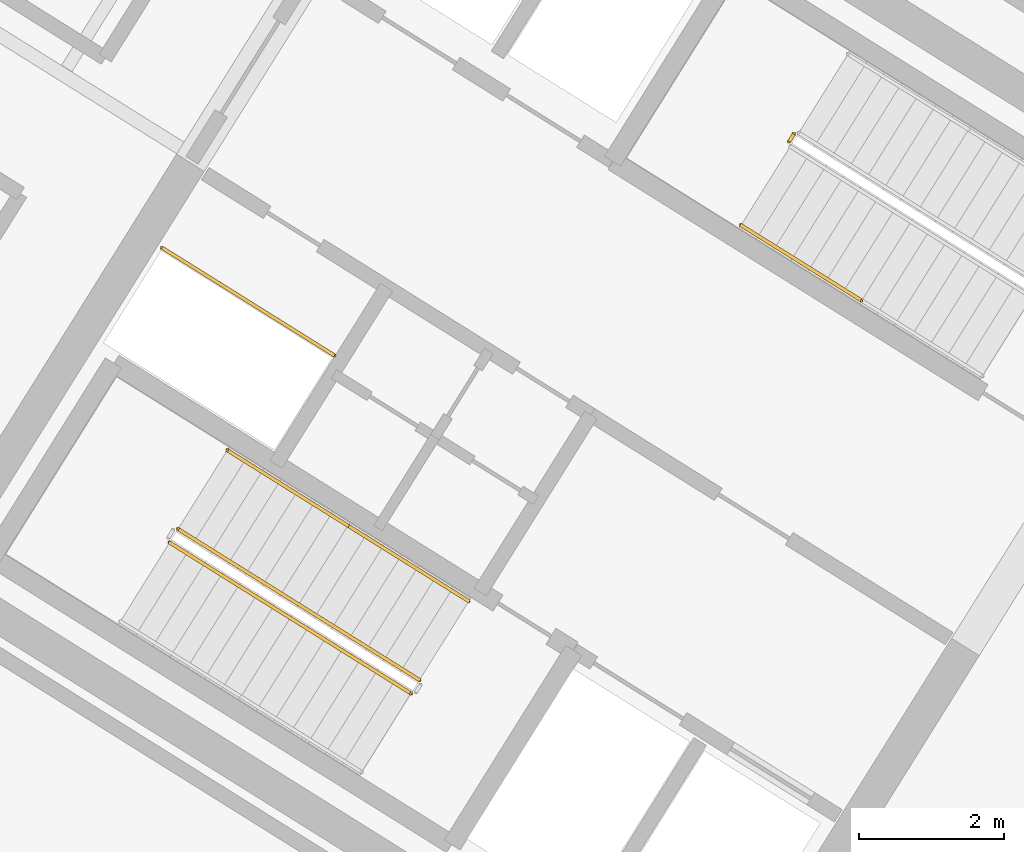
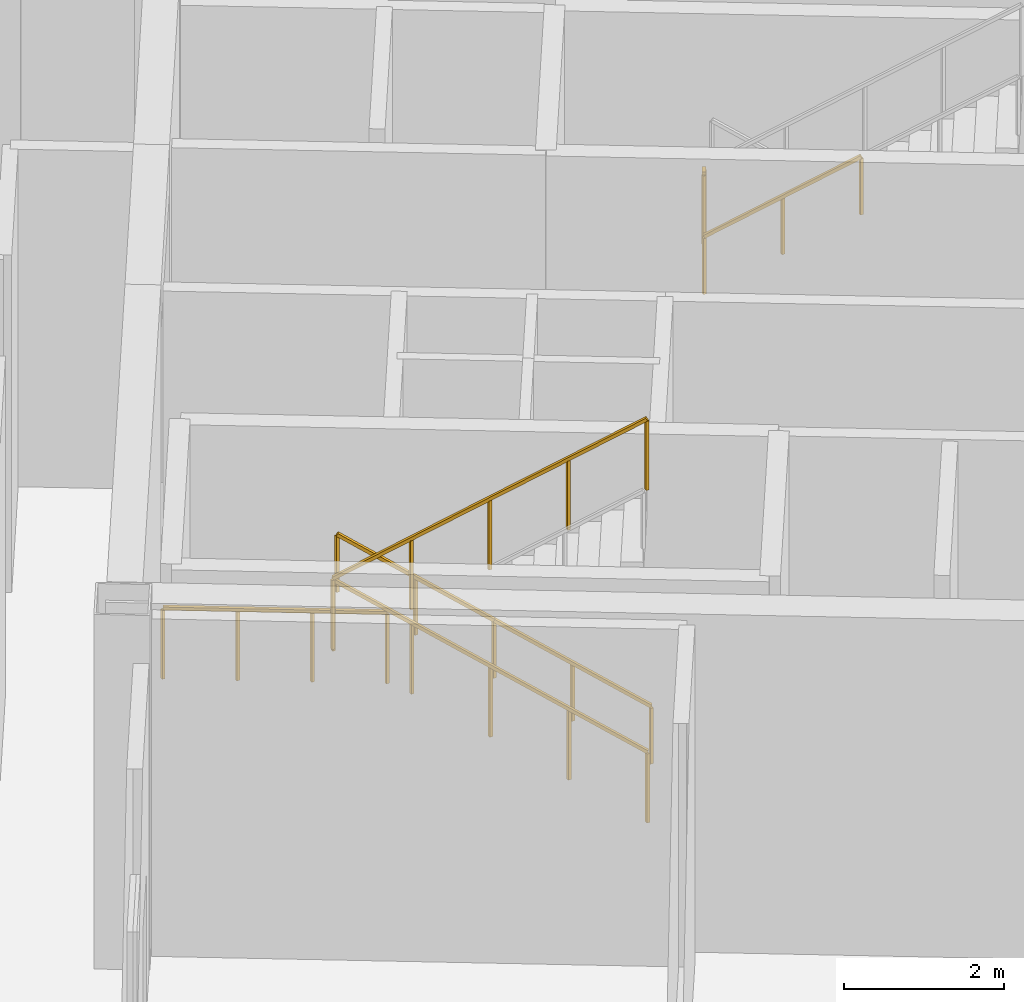
# One storey, part 28 of 32: 7 railings.
"""IFC4 building model written with IfcOpenShell, lengths in metres."""

from ifc_helpers import new_model, si_unit, direction, frame, origin, origin_2d, place, context, subcontext, project, spatial, rectangle, extrude, source, transform, mapped, material, type_object, element, save


model = new_model("IFC4")

# Units and contexts
model_context = context("Model", 3, precision=1e-05, world=origin(), true_north=direction((0.0, 1.0)))
body_context = subcontext(model_context, "Body", "Model", "MODEL_VIEW")
ifc_project = project(units=[si_unit("LENGTHUNIT", "METRE"), si_unit("AREAUNIT", "SQUARE_METRE"), si_unit("VOLUMEUNIT", "CUBIC_METRE"), si_unit("PLANEANGLEUNIT", "RADIAN"), si_unit("MASSUNIT", "GRAM", prefix="KILO")], contexts=[model_context])

# Site, building, storey
site_placement = place(None, origin())
site = spatial("IfcSite", under=ifc_project, at=site_placement, CompositionType="ELEMENT")
building_placement = place(site_placement, origin())
building = spatial("IfcBuilding", under=site, at=building_placement, Name="Tlacorven Tower", CompositionType="ELEMENT")
storey_placement = place(building_placement, frame((0.0, 0.0, 245.699951171875)))
storey = spatial("IfcBuildingStorey", under=building, at=storey_placement, Name="L62", CompositionType="ELEMENT", Elevation=245.699951171875)

# Railings
ifc_material = material(Name="Aluminium and painted steel balustrade", Category="steel")
railing_type_1 = type_object("IfcRailingType", Name="RL-GRD-1100", PredefinedType="GUARDRAIL", material=ifc_material)
shared_shape_1 = source(origin(), body_context, "Body", "SweptSolid", [
    extrude(rectangle(XDim=0.048095703125, YDim=0.048095703125, at=origin_2d()), frame((0.0, 0.0, 1.076171875), z_axis=(-0.848091358275, 0.529850024081, 0.0), x_axis=(-0.529850024081, -0.848091358275, 0.0)), (0.0, 0.0, 1.0), 2.800048828125),
    extrude(rectangle(XDim=0.0419921875, YDim=0.0419921875, at=origin_2d()), origin(), (0.0, 0.0, 1.0), 1.052001953125),
    extrude(rectangle(XDim=0.0419921875, YDim=0.0419921875, at=origin_2d()), frame((-0.79150390625, 0.49462890625, 0.0)), (0.0, 0.0, 1.0), 1.052001953125),
    extrude(rectangle(XDim=0.0419921875, YDim=0.0419921875, at=origin_2d()), frame((-1.583251953125, 0.989013671875, 0.0)), (0.0, 0.0, 1.0), 1.052001953125),
    extrude(rectangle(XDim=0.0419921875, YDim=0.0419921875, at=origin_2d()), frame((-2.374755859375, 1.483642578125, 0.0)), (0.0, 0.0, 1.0), 1.052001953125),
])
railing_1_placement = place(storey_placement, frame((27.9912109375, 22.32080078125, 0.0)))
element("IfcRailing", 1, at=railing_1_placement, inside=storey, type_object=railing_type_1, Name="L62 Electrical Riser W Shaft Guard 1", PredefinedType="GUARDRAIL", context=body_context, shape_type="MappedRepresentation", body=[
    mapped(shared_shape_1, transform((0.0, 0.0, 0.0), scale=1.0)),
])
shared_shape_2 = source(origin(), body_context, "Body", "SweptSolid", [
    extrude(rectangle(XDim=0.048095703125, YDim=0.048095703125, at=origin_2d()), frame((0.0, 0.0, 1.076171875), z_axis=(-0.713337067426, 0.445783277521, 0.540765658782), x_axis=(-0.529954152494, -0.848026294554, 0.0)), (0.0, 0.0, 1.0), 4.66015625),
    extrude(rectangle(XDim=0.0419921875, YDim=0.0419921875, at=origin_2d()), origin(), (0.0, 0.0, 1.0), 1.052001953125),
    extrude(rectangle(XDim=0.0419921875, YDim=0.0419921875, at=origin_2d()), frame((-0.8310546875, 0.519287109375, 0.6298828125)), (0.0, 0.0, 1.0), 1.052001953125),
    extrude(rectangle(XDim=0.0419921875, YDim=0.0419921875, at=origin_2d()), frame((-1.662109375, 1.03857421875, 1.260009765625)), (0.0, 0.0, 1.0), 1.052001953125),
    extrude(rectangle(XDim=0.0419921875, YDim=0.0419921875, at=origin_2d()), frame((-2.4931640625, 1.55810546875, 1.89013671875)), (0.0, 0.0, 1.0), 1.052001953125),
    extrude(rectangle(XDim=0.0419921875, YDim=0.0419921875, at=origin_2d()), frame((-3.32421875, 2.077392578125, 2.52001953125)), (0.0, 0.0, 1.0), 1.052001953125),
])
railing_2_placement = place(storey_placement, frame((29.16064453125, 17.851806640625, 0.179931640625)))
element("IfcRailing", 2, at=railing_2_placement, inside=storey, type_object=railing_type_1, Name="L62 ST-W1 stair guard 1", PredefinedType="GUARDRAIL", context=body_context, shape_type="MappedRepresentation", body=[
    mapped(shared_shape_2, transform((0.0, 0.0, 0.0), scale=1.0)),
])
shared_shape_3 = source(origin(), body_context, "Body", "SweptSolid", [
    extrude(rectangle(XDim=0.048095703125, YDim=0.048095703125, at=origin_2d()), frame((0.0, 0.0, 1.076171875), z_axis=(0.713362797158, -0.445766618272, 0.540745449972), x_axis=(0.529926163394, 0.848043785043, 0.0)), (0.0, 0.0, 1.0), 4.66015625),
    extrude(rectangle(XDim=0.0419921875, YDim=0.0419921875, at=origin_2d()), origin(), (0.0, 0.0, 1.0), 1.052001953125),
    extrude(rectangle(XDim=0.0419921875, YDim=0.0419921875, at=origin_2d()), frame((0.8310546875, -0.519287109375, 0.6298828125)), (0.0, 0.0, 1.0), 1.052001953125),
    extrude(rectangle(XDim=0.0419921875, YDim=0.0419921875, at=origin_2d()), frame((1.662109375, -1.03857421875, 1.260009765625)), (0.0, 0.0, 1.0), 1.052001953125),
    extrude(rectangle(XDim=0.0419921875, YDim=0.0419921875, at=origin_2d()), frame((2.493408203125, -1.55810546875, 1.89013671875)), (0.0, 0.0, 1.0), 1.052001953125),
    extrude(rectangle(XDim=0.0419921875, YDim=0.0419921875, at=origin_2d()), frame((3.324462890625, -2.077392578125, 2.52001953125)), (0.0, 0.0, 1.0), 1.052001953125),
])
railing_3_placement = place(storey_placement, frame((25.7197265625, 19.74267578125, 2.880126953125)))
element("IfcRailing", 3, at=railing_3_placement, inside=storey, type_object=railing_type_1, Name="L62 ST-W1 stair guard 3", PredefinedType="GUARDRAIL", context=body_context, shape_type="MappedRepresentation", body=[
    mapped(shared_shape_3, transform((0.0, 0.0, 0.0), scale=1.0)),
])
railing_type_2 = type_object("IfcRailingType", Name="RL-HND-0900", PredefinedType="HANDRAIL", material=ifc_material)
shared_shape_4 = source(origin(), body_context, "Body", "SweptSolid", [
    extrude(rectangle(XDim=0.048095703125, YDim=0.048095703125, at=origin_2d()), frame((0.0, 0.0, 0.8759765625), z_axis=(-0.713371865327, 0.445791935228, 0.540712615208), x_axis=(-0.529942963146, -0.848033286971, 0.0)), (0.0, 0.0, 1.0), 2.330322265625),
    extrude(rectangle(XDim=0.0419921875, YDim=0.0419921875, at=origin_2d()), origin(), (0.0, 0.0, 1.0), 0.851806640625),
    extrude(rectangle(XDim=0.0419921875, YDim=0.0419921875, at=origin_2d()), frame((-0.8310546875, 0.51953125, 0.6298828125)), (0.0, 0.0, 1.0), 0.851806640625),
    extrude(rectangle(XDim=0.0419921875, YDim=0.0419921875, at=origin_2d()), frame((-1.662353515625, 1.038818359375, 1.260009765625)), (0.0, 0.0, 1.0), 0.851806640625),
])
railing_4_placement = place(storey_placement, frame((29.839111328125, 18.937255859375, 0.179931640625)))
element("IfcRailing", 4, at=railing_4_placement, inside=storey, type_object=railing_type_2, Name="L62 ST-W1 stair handrail 1", PredefinedType="HANDRAIL", context=body_context, shape_type="MappedRepresentation", body=[
    mapped(shared_shape_4, transform((0.0, 0.0, 0.0), scale=1.0)),
])
shared_shape_5 = source(origin(), body_context, "Body", "SweptSolid", [
    extrude(rectangle(XDim=0.048095703125, YDim=0.048095703125, at=origin_2d()), frame((0.0, 0.0, 0.8759765625), z_axis=(-0.713353726602, 0.445741297439, 0.540778287749), x_axis=(-0.52990936055, -0.848054284584, 0.0)), (0.0, 0.0, 1.0), 2.330078125),
    extrude(rectangle(XDim=0.0419921875, YDim=0.0419921875, at=origin_2d()), origin(), (0.0, 0.0, 1.0), 0.851806640625),
    extrude(rectangle(XDim=0.0419921875, YDim=0.0419921875, at=origin_2d()), frame((-0.8310546875, 0.519287109375, 0.6298828125)), (0.0, 0.0, 1.0), 0.851806640625),
    extrude(rectangle(XDim=0.0419921875, YDim=0.0419921875, at=origin_2d()), frame((-1.662109375, 1.03857421875, 1.260009765625)), (0.0, 0.0, 1.0), 0.851806640625),
])
railing_5_placement = place(storey_placement, frame((28.1767578125, 19.97607421875, 1.43994140625)))
element("IfcRailing", 5, at=railing_5_placement, inside=storey, type_object=railing_type_2, Name="L62 ST-W1 stair handrail 2", PredefinedType="HANDRAIL", context=body_context, shape_type="MappedRepresentation", body=[
    mapped(shared_shape_5, transform((0.0, 0.0, 0.0), scale=1.0)),
])
shared_shape_6 = source(origin(), body_context, "Body", "SweptSolid", [
    extrude(rectangle(XDim=0.048095703125, YDim=0.048095703125, at=origin_2d()), frame((0.0, 0.0, 0.8759765625), z_axis=(0.713353726602, -0.445741297439, 0.540778287749), x_axis=(0.52990936055, 0.848054284584, 0.0)), (0.0, 0.0, 1.0), 2.330078125),
    extrude(rectangle(XDim=0.0419921875, YDim=0.0419921875, at=origin_2d()), origin(), (0.0, 0.0, 1.0), 0.851806640625),
    extrude(rectangle(XDim=0.0419921875, YDim=0.0419921875, at=origin_2d()), frame((0.8310546875, -0.519287109375, 0.6298828125)), (0.0, 0.0, 1.0), 0.851806640625),
    extrude(rectangle(XDim=0.0419921875, YDim=0.0419921875, at=origin_2d()), frame((1.662109375, -1.03857421875, 1.260009765625)), (0.0, 0.0, 1.0), 0.851806640625),
])
railing_6_placement = place(storey_placement, frame((33.593017578125, 24.11474609375, 2.880126953125)))
element("IfcRailing", 6, at=railing_6_placement, inside=storey, type_object=railing_type_2, Name="L62 ST-W2 stair handrail 3", PredefinedType="HANDRAIL", context=body_context, shape_type="MappedRepresentation", body=[
    mapped(shared_shape_6, transform((0.0, 0.0, 0.0), scale=1.0)),
])
shared_shape_7 = source(origin(), body_context, "Body", "SweptSolid", [
    extrude(rectangle(XDim=0.048095703125, YDim=0.048095703125, at=origin_2d()), frame((0.0, 0.0, 1.076171875), z_axis=(-0.530546985787, -0.847655529016, 0.0), x_axis=(0.847655529016, -0.530546985787, 0.0)), (0.0, 0.0, 1.0), 0.1201171875),
    extrude(rectangle(XDim=0.0419921875, YDim=0.0419921875, at=origin_2d()), origin(), (0.0, 0.0, 1.0), 1.052001953125),
    extrude(rectangle(XDim=0.0419921875, YDim=0.0419921875, at=origin_2d()), frame((-0.063720703125, -0.101806640625, 0.0)), (0.0, 0.0, 1.0), 1.052001953125),
])
railing_7_placement = place(storey_placement, frame((34.319091796875, 25.370849609375, 2.699951171875)))
element("IfcRailing", 7, at=railing_7_placement, inside=storey, type_object=railing_type_1, Name="L62 ST-W2 stair guard 2", PredefinedType="GUARDRAIL", context=body_context, shape_type="MappedRepresentation", body=[
    mapped(shared_shape_7, transform((0.0, 0.0, 0.0), scale=1.0)),
])

save(model, "model.ifc")
